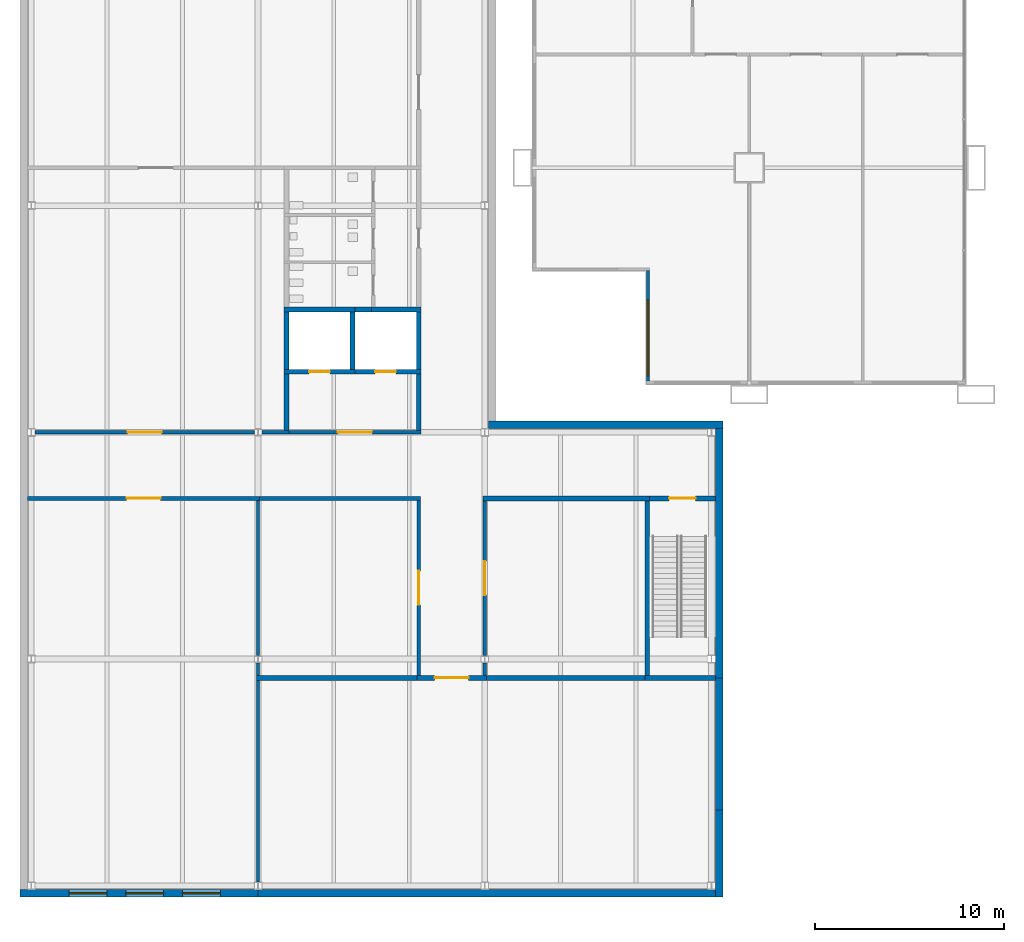
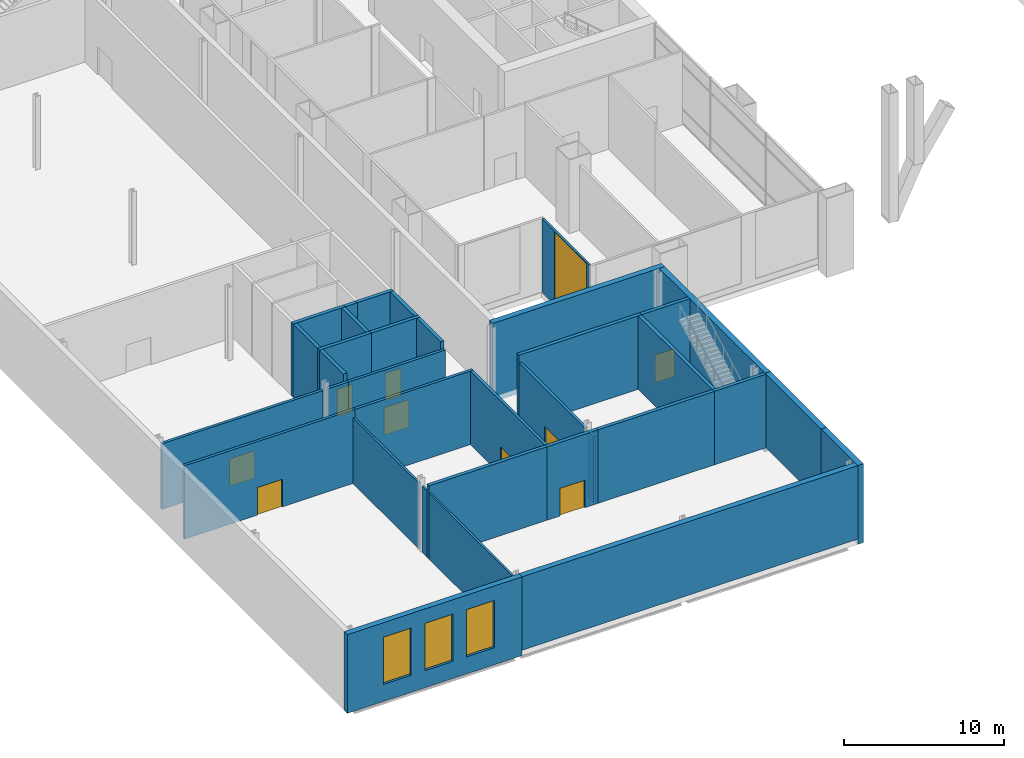
# One storey, part 16 of 25: 35 walls, 9 doors, 4 windows, 13 openings.
"""IFC4 building model written with IfcOpenShell, lengths in metres."""

import ifcopenshell
import ifcopenshell.guid

model = None  # the IFC model being written
_history = None  # IfcOwnerHistory: only IFC2X3 demands one
_inside = {}  # id of a spatial element -> (the spatial element, [elements in it])
_under = {}  # id of a project, library or spatial element -> (it, [spatial elements below it])
_declared = {}  # id of a project -> (the project, [libraries it declares])
_typed = {}  # id of a type object -> (the type object, [elements of that type])
_made_of = {}  # id of a material, layer set ... -> (it, [elements and type objects made of it])


def new_model(schema):
    """Start an empty IFC model of exactly this schema.

    Asked for "IFC4X3", IfcOpenShell would pick the latest addendum, in which some entities
    have other attributes; the version numbers below select the first issue.
    IFC2X3 requires an IfcOwnerHistory on every rooted entity: one is made here for all.
    """
    global model, _history
    if schema == "IFC4X3":
        model = ifcopenshell.file(schema_version=(4, 3, 0, 0))
    else:
        model = ifcopenshell.file(schema=schema)
    _inside.clear()
    _under.clear()
    _declared.clear()
    _typed.clear()
    _made_of.clear()
    _history = None
    if model.schema == "IFC2X3":
        org = make("IfcOrganization", Name="unknown")
        user = make(
            "IfcPersonAndOrganization",
            ThePerson=make("IfcPerson", FamilyName="unknown"),
            TheOrganization=org,
        )
        app = make(
            "IfcApplication",
            ApplicationDeveloper=org,
            Version="unknown",
            ApplicationFullName="unknown",
            ApplicationIdentifier="unknown",
        )
        _history = make(
            "IfcOwnerHistory",
            OwningUser=user,
            OwningApplication=app,
            ChangeAction="ADDED",
            CreationDate=0,
        )
    return model


def make(cls, **values):
    """One entity of the class cls with the attributes given. An attribute that is None is left unset."""
    return model.create_entity(
        cls, **{name: value for name, value in values.items() if value is not None}
    )


def rooted(cls, **values):
    """An entity with a GlobalId (a new one), such as an element, a storey or a relation."""
    return make(cls, GlobalId=ifcopenshell.guid.new(), OwnerHistory=_history, **values)


def si_unit(unit_type, name, prefix=None):
    """IfcSIUnit, for example si_unit("LENGTHUNIT", "METRE", prefix="MILLI")."""
    return make("IfcSIUnit", UnitType=unit_type, Prefix=prefix, Name=name)


def assignment(units):
    """IfcUnitAssignment: the units of a project."""
    return None if units is None else make("IfcUnitAssignment", Units=units)


def point(xyz):
    """IfcCartesianPoint."""
    return None if xyz is None else make("IfcCartesianPoint", Coordinates=xyz)


def direction(xyz):
    """IfcDirection."""
    return None if xyz is None else make("IfcDirection", DirectionRatios=xyz)


def frame(location, z_axis=None, x_axis=None):
    """IfcAxis2Placement3D, a coordinate frame: its origin and axes. An axis left out is left unset."""
    return make(
        "IfcAxis2Placement3D",
        Location=point(location),
        Axis=direction(z_axis),
        RefDirection=direction(x_axis),
    )


def frame_2d(location, x_axis=None):
    """IfcAxis2Placement2D, a coordinate frame in the plane: its origin and x axis."""
    return make(
        "IfcAxis2Placement2D", Location=point(location), RefDirection=direction(x_axis)
    )


def origin():
    """The frame at (0, 0, 0) with its axes left unset."""
    return frame((0.0, 0.0, 0.0))


def place(relative_to, where):
    """IfcLocalPlacement: puts the frame where relative to a parent placement (None: the world)."""
    return make(
        "IfcLocalPlacement", PlacementRelTo=relative_to, RelativePlacement=where
    )


def context(
    kind, dimensions, precision=None, world=None, true_north=None, identifier=None
):
    """IfcGeometricRepresentationContext, for example the 3D "Model" context."""
    return make(
        "IfcGeometricRepresentationContext",
        ContextIdentifier=identifier,
        ContextType=kind,
        CoordinateSpaceDimension=dimensions,
        Precision=precision,
        WorldCoordinateSystem=world,
        TrueNorth=true_north,
    )


def subcontext(parent, identifier, kind, view, scale=None):
    """IfcGeometricRepresentationSubContext, for example "Body" below "Model"."""
    return make(
        "IfcGeometricRepresentationSubContext",
        ContextIdentifier=identifier,
        ContextType=kind,
        ParentContext=parent,
        TargetScale=scale,
        TargetView=view,
    )


def project(units=None, contexts=None):
    """IfcProject with its units and contexts."""
    return rooted(
        "IfcProject",
        Name="project",
        RepresentationContexts=contexts,
        UnitsInContext=assignment(units),
    )


def spatial(cls, under=None, at=None, **own):
    """A site, building, storey or space (cls), placed at a placement, below another one or the project."""
    s = rooted(cls, ObjectPlacement=at, **own)
    if under is not None:
        _under.setdefault(under.id(), (under, []))[1].append(s)
    return s


def profile(cls, at=None, kind="AREA", **sizes):
    """A parametric profile (cls). Its sizes go by their IFC names, for example OverallWidth=200.0."""
    return make(cls, ProfileType=kind, Position=at, **sizes)


def rectangle(**sizes):
    """IfcRectangleProfileDef."""
    return profile("IfcRectangleProfileDef", **sizes)


def extrude(swept, where, along, depth):
    """IfcExtrudedAreaSolid: the profile swept, set in the frame where, extruded along a direction by depth."""
    return make(
        "IfcExtrudedAreaSolid",
        SweptArea=swept,
        Position=where,
        ExtrudedDirection=direction(along),
        Depth=depth,
    )


def shape(context_of_items, identifier, shape_type, items):
    """IfcShapeRepresentation: the items that make up one representation, for example the "Body"."""
    return make(
        "IfcShapeRepresentation",
        ContextOfItems=context_of_items,
        RepresentationIdentifier=identifier,
        RepresentationType=shape_type,
        Items=items,
    )


def material(Name=None, Category=None):
    """IfcMaterial."""
    return make("IfcMaterial", Name=Name, Category=Category)


def layer(
    of_material, thickness, ventilated=None, Name=None, Category=None, Priority=None
):
    """IfcMaterialLayer: one layer of a wall or slab, of a material (None: an air gap)."""
    return make(
        "IfcMaterialLayer",
        Material=of_material,
        LayerThickness=thickness,
        IsVentilated=ventilated,
        Name=Name,
        Category=Category,
        Priority=Priority,
    )


def layer_set(layers, Name=None):
    """IfcMaterialLayerSet."""
    return make("IfcMaterialLayerSet", MaterialLayers=layers, LayerSetName=Name)


def made_of(thing, what):
    """Note that an element or type object is made of a material, layer set ...; save() writes the relation."""
    if what is not None:
        _made_of.setdefault(what.id(), (what, []))[1].append(thing)
    return thing


def type_object(cls, material=None, **own):
    """A type object (cls), such as IfcWallType, which elements share."""
    return made_of(rooted(cls, **own), material)


def element(
    cls,
    number,
    at=None,
    inside=None,
    cuts=None,
    type_object=None,
    material=None,
    context=None,
    identifier="Body",
    shape_type=None,
    held_by="IfcProductDefinitionShape",
    body=None,
    shapes=None,
    **own,
):
    """One element of the class cls, such as IfcWall. Its Tag is "e" and its number.

    at: its placement. inside: the storey or other place that contains it. cuts: it is an
    opening in that element (IfcRelVoidsElement). A single representation is given by context,
    identifier, shape_type and body (its items); several are given by shapes. held_by: the class
    of the entity that holds the representations. save() writes the other relations.
    """
    e = rooted(cls, Tag="e%d" % number, ObjectPlacement=at, **own)
    if body is not None:
        shapes = [shape(context, identifier, shape_type, body)]
    if shapes is not None:
        e.Representation = make(held_by, Representations=shapes)
    if inside is not None:
        _inside.setdefault(inside.id(), (inside, []))[1].append(e)
    if cuts is not None:
        rooted(
            "IfcRelVoidsElement", RelatingBuildingElement=cuts, RelatedOpeningElement=e
        )
    if type_object is not None:
        _typed.setdefault(type_object.id(), (type_object, []))[1].append(e)
    return made_of(e, material)


def fill(opening, filler):
    """IfcRelFillsElement: the door or window that sits in an opening."""
    return rooted(
        "IfcRelFillsElement",
        RelatingOpeningElement=opening,
        RelatedBuildingElement=filler,
    )


def aggregate(whole, parts):
    """IfcRelAggregates: a whole, such as a stair, and the parts it consists of."""
    return rooted("IfcRelAggregates", RelatingObject=whole, RelatedObjects=parts)


def save(model, path):
    """Write the relations noted so far, then the file.

    IfcRelAggregates (storeys below a building ...), IfcRelContainedInSpatialStructure (elements
    in a storey), IfcRelDefinesByType, IfcRelAssociatesMaterial and IfcRelDeclares: one each for
    every whole, place, type object, material and project.
    """
    for whole, parts in _under.values():
        aggregate(whole, parts)
    for where, things in _inside.values():
        rooted(
            "IfcRelContainedInSpatialStructure",
            RelatedElements=things,
            RelatingStructure=where,
        )
    for kind, things in _typed.values():
        rooted("IfcRelDefinesByType", RelatedObjects=things, RelatingType=kind)
    for what, things in _made_of.values():
        rooted("IfcRelAssociatesMaterial", RelatedObjects=things, RelatingMaterial=what)
    for by, libraries in _declared.values():
        rooted("IfcRelDeclares", RelatingContext=by, RelatedDefinitions=libraries)
    model.write(path)


model = new_model("IFC4")

# Units and contexts
model_context = context("Model", 3, precision=1e-05, world=origin(), true_north=direction((0.0, 1.0)))
body_context = subcontext(model_context, "Body", "Model", "MODEL_VIEW")
ifc_project = project(units=[si_unit("LENGTHUNIT", "METRE"), si_unit("AREAUNIT", "SQUARE_METRE"), si_unit("VOLUMEUNIT", "CUBIC_METRE"), si_unit("PLANEANGLEUNIT", "RADIAN"), si_unit("MASSUNIT", "GRAM", prefix="KILO")], contexts=[model_context])

# Site, building, storey
site_placement = place(None, origin())
site = spatial("IfcSite", under=ifc_project, at=site_placement, CompositionType="ELEMENT")
building_placement = place(site_placement, origin())
building = spatial("IfcBuilding", under=site, at=building_placement, Name="Kitamizu Gate Tower and Museum", CompositionType="ELEMENT")
storey_placement = place(building_placement, frame((0.0, 0.0, 12.0)))
storey = spatial("IfcBuildingStorey", under=building, at=storey_placement, Name="L02", CompositionType="ELEMENT", Elevation=12.0)

# Wall
ifc_material_1 = material(Name="Concrete Fc30", Category="concrete")
ifc_layer_1 = layer(ifc_material_1, 0.25)
ifc_layer_set_1 = layer_set([ifc_layer_1], Name="Concrete Fc30")
wall_type_1 = type_object("IfcWallType", Name="Museum RC core wall 250", PredefinedType="SHEAR", material=ifc_layer_set_1)
wall_1_placement = place(storey_placement, frame((-5.5, 1.324951171875, 0.0), z_axis=(0.0, 0.0, 1.0), x_axis=(0.0, 1.0, 0.0)))
element("IfcWall", 1, at=wall_1_placement, inside=storey, type_object=wall_type_1, Name="Core wall L02.10.1", PredefinedType="SHEAR", context=body_context, shape_type="SweptSolid", body=[
    extrude(rectangle(XDim=3.050048828125, YDim=0.25, at=frame_2d((1.52490234375, 0.0))), origin(), (0.0, 0.0, 1.0), 5.60009765625),
])

# Wall, opening, door
wall_2_placement = place(storey_placement, frame((6.72509765625, -5.5, 0.0), z_axis=(0.0, 0.0, 1.0), x_axis=(1.0, 0.0, 0.0)))
wall_2 = element("IfcWall", 2, at=wall_2_placement, inside=storey, type_object=wall_type_1, Name="Core wall L02.12.1", PredefinedType="SHEAR", context=body_context, shape_type="SweptSolid", body=[
    extrude(rectangle(XDim=3.474853515625, YDim=0.25, at=frame_2d((1.7373046875, 0.0))), origin(), (0.0, 0.0, 1.0), 5.60009765625),
])
opening_1_placement = place(wall_2_placement, frame((1.037109375, 0.0, 0.0)))
opening_1 = element("IfcOpeningElement", 3, at=opening_1_placement, cuts=wall_2, Name="Opening MUS-L02-001", PredefinedType="OPENING", context=body_context, shape_type="SweptSolid", body=[
    extrude(rectangle(XDim=1.39990234375, YDim=2.10009765625, at=frame_2d((0.699951171875, 1.050048828125))), frame((0.0, 0.135009765625, 0.0), z_axis=(0.0, -1.0, 0.0), x_axis=(1.0, 0.0, 0.0)), (0.0, 0.0, 1.0), 0.27001953125),
])
ifc_material_2 = material(Name="Timber leaf in hollow metal frame", Category="wood")
door_type_1 = type_object("IfcDoorType", Name="Museum door 1400x2100 FD60", OperationType="DOUBLE_DOOR_SINGLE_SWING", PredefinedType="DOOR", material=ifc_material_2)
door_1_placement = place(opening_1_placement, origin())
door_1 = element("IfcDoor", 4, at=door_1_placement, inside=storey, type_object=door_type_1, Name="Door Stair S", OperationType="DOUBLE_DOOR_SINGLE_SWING", OverallHeight=2.10009765625, OverallWidth=1.39990234375, PredefinedType="DOOR", context=body_context, shape_type="SweptSolid", body=[
    extrude(rectangle(XDim=1.39990234375, YDim=2.10009765625, at=frame_2d((0.699951171875, 1.050048828125))), frame((0.0, 0.02490234375, 0.0), z_axis=(0.0, -1.0, 0.0), x_axis=(1.0, 0.0, 0.0)), (0.0, 0.0, 1.0), 0.050048828125),
])
fill(opening_1, door_1)

wall_3_placement = place(storey_placement, frame((-12.625, 1.199951171875, 0.0), z_axis=(0.0, 0.0, 1.0), x_axis=(1.0, 0.0, 0.0)))
wall_3 = element("IfcWall", 5, at=wall_3_placement, inside=storey, type_object=wall_type_1, Name="Core wall L02.19.1", PredefinedType="SHEAR", context=body_context, shape_type="SweptSolid", body=[
    extrude(rectangle(XDim=3.75, YDim=0.25, at=frame_2d((1.875, 0.0))), origin(), (0.0, 0.0, 1.0), 5.60009765625),
])
opening_2_placement = place(wall_3_placement, frame((1.324951171875, 0.0, 0.0)))
opening_2 = element("IfcOpeningElement", 6, at=opening_2_placement, cuts=wall_3, Name="Opening MUS-L02-004", PredefinedType="OPENING", context=body_context, shape_type="SweptSolid", body=[
    extrude(rectangle(XDim=1.10009765625, YDim=2.10009765625, at=frame_2d((0.550048828125, 1.050048828125))), frame((0.0, 0.135009765625, 0.0), z_axis=(0.0, -1.0, 0.0), x_axis=(1.0, 0.0, 0.0)), (0.0, 0.0, 1.0), 0.27001953125),
])
ifc_material_3 = material(Name="Stainless steel SUS304", Category="steel")
door_type_2 = type_object("IfcDoorType", Name="Museum lift landing door 1100x2100", OperationType="SLIDING_TO_LEFT", PredefinedType="DOOR", material=ifc_material_3)
door_2_placement = place(opening_2_placement, origin())
door_2 = element("IfcDoor", 7, at=door_2_placement, inside=storey, type_object=door_type_2, Name="Lift landing door", OperationType="SLIDING_TO_LEFT", OverallHeight=2.10009765625, OverallWidth=1.10009765625, PredefinedType="DOOR", context=body_context, shape_type="SweptSolid", body=[
    extrude(rectangle(XDim=1.10009765625, YDim=2.10009765625, at=frame_2d((0.550048828125, 1.050048828125))), frame((0.0, 0.02490234375, 0.0), z_axis=(0.0, -1.0, 0.0), x_axis=(1.0, 0.0, 0.0)), (0.0, 0.0, 1.0), 0.050048828125),
])
fill(opening_2, door_2)

wall_4_placement = place(storey_placement, frame((-8.875, 1.199951171875, 0.0), z_axis=(0.0, 0.0, 1.0), x_axis=(1.0, 0.0, 0.0)))
wall_4 = element("IfcWall", 8, at=wall_4_placement, inside=storey, type_object=wall_type_1, Name="Core wall L02.20.1", PredefinedType="SHEAR", context=body_context, shape_type="SweptSolid", body=[
    extrude(rectangle(XDim=3.5, YDim=0.25, at=frame_2d((1.75, 0.0))), origin(), (0.0, 0.0, 1.0), 5.60009765625),
])
opening_3_placement = place(wall_4_placement, frame((1.074951171875, 0.0, 0.0)))
opening_3 = element("IfcOpeningElement", 9, at=opening_3_placement, cuts=wall_4, Name="Opening MUS-L02-005", PredefinedType="OPENING", context=body_context, shape_type="SweptSolid", body=[
    extrude(rectangle(XDim=1.10009765625, YDim=2.10009765625, at=frame_2d((0.550048828125, 1.050048828125))), frame((0.0, 0.135009765625, 0.0), z_axis=(0.0, -1.0, 0.0), x_axis=(1.0, 0.0, 0.0)), (0.0, 0.0, 1.0), 0.27001953125),
])
door_3_placement = place(opening_3_placement, origin())
door_3 = element("IfcDoor", 10, at=door_3_placement, inside=storey, type_object=door_type_2, Name="Lift landing door", OperationType="SLIDING_TO_LEFT", OverallHeight=2.10009765625, OverallWidth=1.10009765625, PredefinedType="DOOR", context=body_context, shape_type="SweptSolid", body=[
    extrude(rectangle(XDim=1.10009765625, YDim=2.10009765625, at=frame_2d((0.550048828125, 1.050048828125))), frame((0.0, 0.02490234375, 0.0), z_axis=(0.0, -1.0, 0.0), x_axis=(1.0, 0.0, 0.0)), (0.0, 0.0, 1.0), 0.050048828125),
])
fill(opening_3, door_3)

# Walls
for number, where, z_axis, x_axis, name in (
    (11, (-12.5, 1.324951171875, 0.0), (0.0, 0.0, 1.0), (0.0, 1.0, 0.0), "Core wall L02.23.1"),
    (12, (-9.0, 1.324951171875, 0.0), (0.0, 0.0, 1.0), (0.0, 1.0, 0.0), "Core wall L02.24.1"),
):
    element("IfcWall", number, at=place(storey_placement, frame(where, z_axis=z_axis, x_axis=x_axis)), inside=storey, type_object=wall_type_1, Name=name, PredefinedType="SHEAR", context=body_context, shape_type="SweptSolid", body=[
        extrude(rectangle(XDim=3.050048828125, YDim=0.25, at=frame_2d((1.52490234375, 0.0))), origin(), (0.0, 0.0, 1.0), 5.60009765625),
    ])
wall_5_placement = place(storey_placement, frame((-12.625, 4.5, 0.0), z_axis=(0.0, 0.0, 1.0), x_axis=(1.0, 0.0, 0.0)))
element("IfcWall", 13, at=wall_5_placement, inside=storey, type_object=wall_type_1, Name="Core wall L02.25.1", PredefinedType="SHEAR", context=body_context, shape_type="SweptSolid", body=[
    extrude(rectangle(XDim=3.75, YDim=0.25, at=frame_2d((1.875, 0.0))), origin(), (0.0, 0.0, 1.0), 5.60009765625),
])
wall_6_placement = place(storey_placement, frame((-8.0, 4.5, 0.0), z_axis=(0.0, 0.0, 1.0), x_axis=(1.0, 0.0, 0.0)))
element("IfcWall", 14, at=wall_6_placement, inside=storey, type_object=wall_type_1, Name="Core wall L02.26.1", PredefinedType="SHEAR", context=body_context, shape_type="SweptSolid", body=[
    extrude(rectangle(XDim=2.625, YDim=0.25, at=frame_2d((1.3125, 0.0))), origin(), (0.0, 0.0, 1.0), 5.60009765625),
])
wall_7_placement = place(storey_placement, frame((-8.875, 4.5, 0.0), z_axis=(0.0, 0.0, 1.0), x_axis=(1.0, 0.0, 0.0)))
element("IfcWall", 15, at=wall_7_placement, inside=storey, type_object=wall_type_1, Name="Core wall L02.27.1", PredefinedType="SHEAR", context=body_context, shape_type="SweptSolid", body=[
    extrude(rectangle(XDim=0.875, YDim=0.25, at=frame_2d((0.4375, 0.0))), origin(), (0.0, 0.0, 1.0), 5.60009765625),
])
wall_8_placement = place(storey_placement, frame((6.60009765625, -14.875, 0.0), z_axis=(0.0, 0.0, 1.0), x_axis=(0.0, 1.0, 0.0)))
element("IfcWall", 16, at=wall_8_placement, inside=storey, type_object=wall_type_1, Name="Core wall L02.30.1", PredefinedType="SHEAR", context=body_context, shape_type="SweptSolid", body=[
    extrude(rectangle(XDim=9.25, YDim=0.25, at=frame_2d((4.625, 0.0))), origin(), (0.0, 0.0, 1.0), 5.60009765625),
])
wall_9_placement = place(storey_placement, frame((6.47509765625, -15.0, 0.0), z_axis=(0.0, 0.0, 1.0), x_axis=(1.0, 0.0, 0.0)))
element("IfcWall", 17, at=wall_9_placement, inside=storey, type_object=wall_type_1, Name="Core wall L02.31.1", PredefinedType="SHEAR", context=body_context, shape_type="SweptSolid", body=[
    extrude(rectangle(XDim=3.724853515625, YDim=0.25, at=frame_2d((1.8623046875, 0.0))), origin(), (0.0, 0.0, 1.0), 5.60009765625),
])
ifc_material_4 = material(Name="Concrete Fc30 precast", Category="concrete")
ifc_layer_2 = layer(ifc_material_4, 0.39990234375)
ifc_layer_set_2 = layer_set([ifc_layer_2], Name="Concrete Fc30 precast")
wall_type_2 = type_object("IfcWallType", Name="Museum cladding wall 400", PredefinedType="STANDARD", material=ifc_layer_set_2)
wall_10_placement = place(storey_placement, frame((-14.0, -26.39990234375, 0.0), z_axis=(0.0, 0.0, 1.0), x_axis=(1.0, 0.0, 0.0)))
element("IfcWall", 18, at=wall_10_placement, inside=storey, type_object=wall_type_2, Name="Cladding wall L02.1", PredefinedType="STANDARD", context=body_context, shape_type="SweptSolid", body=[
    extrude(rectangle(XDim=24.199951171875, YDim=0.39990234375, at=frame_2d((12.10009765625, 0.0))), origin(), (0.0, 0.0, 1.0), 5.60009765625),
])
wall_11_placement = place(storey_placement, frame((10.39990234375, -22.0, 0.0), z_axis=(0.0, 0.0, 1.0), x_axis=(0.0, 1.0, 0.0)))
element("IfcWall", 19, at=wall_11_placement, inside=storey, type_object=wall_type_2, Name="Cladding wall L02.2", PredefinedType="STANDARD", context=body_context, shape_type="SweptSolid", body=[
    extrude(rectangle(XDim=7.0, YDim=0.39990234375, at=frame_2d((3.5, 0.0))), origin(), (0.0, 0.0, 1.0), 5.60009765625),
])

# Wall, openings, windows
wall_12_placement = place(storey_placement, frame((-26.60009765625, -26.39990234375, -0.39990234375), z_axis=(0.0, 0.0, 1.0), x_axis=(1.0, 0.0, 0.0)))
wall_12 = element("IfcWall", 20, at=wall_12_placement, inside=storey, type_object=wall_type_2, Name="Cladding wall L02.3", PredefinedType="STANDARD", context=body_context, shape_type="SweptSolid", body=[
    extrude(rectangle(XDim=12.60009765625, YDim=0.39990234375, at=frame_2d((6.300048828125, 0.0))), origin(), (0.0, 0.0, 1.0), 6.0),
])
opening_4_placement = place(wall_12_placement, frame((2.60009765625, 0.0, 1.300048828125)))
opening_4 = element("IfcOpeningElement", 21, at=opening_4_placement, cuts=wall_12, Name="Opening MWN1", PredefinedType="OPENING", context=body_context, shape_type="SweptSolid", body=[
    extrude(rectangle(XDim=2.0, YDim=3.60009765625, at=frame_2d((1.0, 1.800048828125))), frame((0.0, 0.2099609375, 0.0), z_axis=(0.0, -1.0, 0.0), x_axis=(1.0, 0.0, 0.0)), (0.0, 0.0, 1.0), 0.419921875),
])
opening_5_placement = place(wall_12_placement, frame((5.60009765625, 0.0, 1.300048828125)))
opening_5 = element("IfcOpeningElement", 22, at=opening_5_placement, cuts=wall_12, Name="Opening MWN1", PredefinedType="OPENING", context=body_context, shape_type="SweptSolid", body=[
    extrude(rectangle(XDim=2.0, YDim=3.60009765625, at=frame_2d((1.0, 1.800048828125))), frame((0.0, 0.2099609375, 0.0), z_axis=(0.0, -1.0, 0.0), x_axis=(1.0, 0.0, 0.0)), (0.0, 0.0, 1.0), 0.419921875),
])
opening_6_placement = place(wall_12_placement, frame((8.60009765625, 0.0, 1.300048828125)))
opening_6 = element("IfcOpeningElement", 23, at=opening_6_placement, cuts=wall_12, Name="Opening MWN1", PredefinedType="OPENING", context=body_context, shape_type="SweptSolid", body=[
    extrude(rectangle(XDim=2.0, YDim=3.60009765625, at=frame_2d((1.0, 1.800048828125))), frame((0.0, 0.2099609375, 0.0), z_axis=(0.0, -1.0, 0.0), x_axis=(1.0, 0.0, 0.0)), (0.0, 0.0, 1.0), 0.419921875),
])
ifc_material_5 = material(Name="Bronze anodised aluminium frame, tinted triple glazing", Category="aluminium")
window_type_1 = type_object("IfcWindowType", Name="Museum window 2000x3600", PartitioningType="SINGLE_PANEL", PredefinedType="WINDOW", material=ifc_material_5)
window_1_placement = place(opening_4_placement, origin())
window_1 = element("IfcWindow", 24, at=window_1_placement, inside=storey, type_object=window_type_1, Name="Window", OverallHeight=3.60009765625, OverallWidth=2.0, PartitioningType="SINGLE_PANEL", PredefinedType="WINDOW", context=body_context, shape_type="SweptSolid", body=[
    extrude(rectangle(XDim=2.0, YDim=3.60009765625, at=frame_2d((1.0, 1.800048828125))), frame((0.0, 0.030029296875, 0.0), z_axis=(0.0, -1.0, 0.0), x_axis=(1.0, 0.0, 0.0)), (0.0, 0.0, 1.0), 0.06005859375),
])
fill(opening_4, window_1)
window_2_placement = place(opening_5_placement, origin())
window_2 = element("IfcWindow", 25, at=window_2_placement, inside=storey, type_object=window_type_1, Name="Window", OverallHeight=3.60009765625, OverallWidth=2.0, PartitioningType="SINGLE_PANEL", PredefinedType="WINDOW", context=body_context, shape_type="SweptSolid", body=[
    extrude(rectangle(XDim=2.0, YDim=3.60009765625, at=frame_2d((1.0, 1.800048828125))), frame((0.0, 0.030029296875, 0.0), z_axis=(0.0, -1.0, 0.0), x_axis=(1.0, 0.0, 0.0)), (0.0, 0.0, 1.0), 0.06005859375),
])
fill(opening_5, window_2)
window_3_placement = place(opening_6_placement, origin())
window_3 = element("IfcWindow", 26, at=window_3_placement, inside=storey, type_object=window_type_1, Name="Window", OverallHeight=3.60009765625, OverallWidth=2.0, PartitioningType="SINGLE_PANEL", PredefinedType="WINDOW", context=body_context, shape_type="SweptSolid", body=[
    extrude(rectangle(XDim=2.0, YDim=3.60009765625, at=frame_2d((1.0, 1.800048828125))), frame((0.0, 0.030029296875, 0.0), z_axis=(0.0, -1.0, 0.0), x_axis=(1.0, 0.0, 0.0)), (0.0, 0.0, 1.0), 0.06005859375),
])
fill(opening_6, window_3)

# Walls
wall_13_placement = place(storey_placement, frame((10.39990234375, -26.60009765625, -0.39990234375), z_axis=(0.0, 0.0, 1.0), x_axis=(0.0, 1.0, 0.0)))
element("IfcWall", 27, at=wall_13_placement, inside=storey, type_object=wall_type_2, Name="Cladding wall L02.4", PredefinedType="STANDARD", context=body_context, shape_type="SweptSolid", body=[
    extrude(rectangle(XDim=4.60009765625, YDim=0.39990234375, at=frame_2d((2.300048828125, 0.0))), origin(), (0.0, 0.0, 1.0), 6.0),
])
wall_14_placement = place(storey_placement, frame((10.39990234375, -15.0, -0.39990234375), z_axis=(0.0, 0.0, 1.0), x_axis=(0.0, 1.0, 0.0)))
element("IfcWall", 28, at=wall_14_placement, inside=storey, type_object=wall_type_2, Name="Cladding wall L02.6", PredefinedType="STANDARD", context=body_context, shape_type="SweptSolid", body=[
    extrude(rectangle(XDim=13.199951171875, YDim=0.39990234375, at=frame_2d((6.60009765625, 0.0))), origin(), (0.0, 0.0, 1.0), 6.0),
])
wall_15_placement = place(storey_placement, frame((-1.800048828125, -1.60009765625, -0.39990234375), z_axis=(0.0, 0.0, 1.0), x_axis=(1.0, 0.0, 0.0)))
element("IfcWall", 29, at=wall_15_placement, inside=storey, type_object=wall_type_2, Name="Cladding wall L02.7", PredefinedType="STANDARD", context=body_context, shape_type="SweptSolid", body=[
    extrude(rectangle(XDim=12.400146484375, YDim=0.39990234375, at=frame_2d((6.2001953125, 0.0))), origin(), (0.0, 0.0, 1.0), 6.0),
])

# Wall, opening, door
ifc_material_6 = material(Name="Gypsum board on galvanised stud")
ifc_layer_3 = layer(ifc_material_6, 0.199951171875)
ifc_layer_set_3 = layer_set([ifc_layer_3], Name="Gypsum board on galvanised stud")
wall_type_3 = type_object("IfcWallType", Name="Museum fire rated partition 200", PredefinedType="PARTITIONING", material=ifc_layer_set_3)
wall_16_placement = place(storey_placement, frame((-25.800048828125, -2.0, 0.0), z_axis=(0.0, 0.0, 1.0), x_axis=(1.0, 0.0, 0.0)))
wall_16 = element("IfcWall", 30, at=wall_16_placement, inside=storey, type_object=wall_type_3, Name="Fire-rated partition L02.4.1", PredefinedType="PARTITIONING", context=body_context, shape_type="SweptSolid", body=[
    extrude(rectangle(XDim=11.60009765625, YDim=0.199951171875, at=frame_2d((5.800048828125, 0.0))), origin(), (0.0, 0.0, 1.0), 5.011962890625),
])
opening_7_placement = place(wall_16_placement, frame((4.89990234375, 0.0, 0.0)))
opening_7 = element("IfcOpeningElement", 31, at=opening_7_placement, cuts=wall_16, Name="Opening MUS-L02-014", PredefinedType="OPENING", context=body_context, shape_type="SweptSolid", body=[
    extrude(rectangle(XDim=1.800048828125, YDim=2.10009765625, at=frame_2d((0.89990234375, 1.050048828125))), frame((0.0, 0.10986328125, 0.0), z_axis=(0.0, -1.0, 0.0), x_axis=(1.0, 0.0, 0.0)), (0.0, 0.0, 1.0), 0.219970703125),
])
ifc_material_7 = material(Name="Timber leaf in hollow metal frame", Category="wood")
door_type_3 = type_object("IfcDoorType", Name="Museum door 1800x2100 FD60", OperationType="DOUBLE_DOOR_SINGLE_SWING", PredefinedType="DOOR", material=ifc_material_7)
door_4_placement = place(opening_7_placement, origin())
door_4 = element("IfcDoor", 32, at=door_4_placement, inside=storey, type_object=door_type_3, Name="Door Auditorium foyer", OperationType="DOUBLE_DOOR_SINGLE_SWING", OverallHeight=2.10009765625, OverallWidth=1.800048828125, PredefinedType="DOOR", context=body_context, shape_type="SweptSolid", body=[
    extrude(rectangle(XDim=1.800048828125, YDim=2.10009765625, at=frame_2d((0.89990234375, 1.050048828125))), frame((0.0, 0.02490234375, 0.0), z_axis=(0.0, -1.0, 0.0), x_axis=(1.0, 0.0, 0.0)), (0.0, 0.0, 1.0), 0.050048828125),
])
fill(opening_7, door_4)

# Wall
wall_17_placement = place(storey_placement, frame((-13.800048828125, -2.0, 0.0), z_axis=(0.0, 0.0, 1.0), x_axis=(1.0, 0.0, 0.0)))
element("IfcWall", 33, at=wall_17_placement, inside=storey, type_object=wall_type_3, Name="Fire-rated partition L02.4.2", PredefinedType="PARTITIONING", context=body_context, shape_type="SweptSolid", body=[
    extrude(rectangle(XDim=1.425048828125, YDim=0.199951171875, at=frame_2d((0.71240234375, 0.0))), origin(), (0.0, 0.0, 1.0), 5.011962890625),
])

# Wall, opening, door
wall_18_placement = place(storey_placement, frame((-26.199951171875, -5.5, 0.0), z_axis=(0.0, 0.0, 1.0), x_axis=(1.0, 0.0, 0.0)))
wall_18 = element("IfcWall", 34, at=wall_18_placement, inside=storey, type_object=wall_type_3, Name="Fire-rated partition L02.5.1", PredefinedType="PARTITIONING", context=body_context, shape_type="SweptSolid", body=[
    extrude(rectangle(XDim=12.27490234375, YDim=0.199951171875, at=frame_2d((6.137451171875, 0.0))), origin(), (0.0, 0.0, 1.0), 5.60009765625),
])
opening_8_placement = place(wall_18_placement, frame((5.237060546875, 0.0, 0.0)))
opening_8 = element("IfcOpeningElement", 35, at=opening_8_placement, cuts=wall_18, Name="Opening MUS-L02-011", PredefinedType="OPENING", context=body_context, shape_type="SweptSolid", body=[
    extrude(rectangle(XDim=1.800048828125, YDim=2.10009765625, at=frame_2d((0.89990234375, 1.050048828125))), frame((0.0, 0.10986328125, 0.0), z_axis=(0.0, -1.0, 0.0), x_axis=(1.0, 0.0, 0.0)), (0.0, 0.0, 1.0), 0.219970703125),
])
door_5_placement = place(opening_8_placement, origin())
door_5 = element("IfcDoor", 36, at=door_5_placement, inside=storey, type_object=door_type_3, Name="Door Learning studio", OperationType="DOUBLE_DOOR_SINGLE_SWING", OverallHeight=2.10009765625, OverallWidth=1.800048828125, PredefinedType="DOOR", context=body_context, shape_type="SweptSolid", body=[
    extrude(rectangle(XDim=1.800048828125, YDim=2.10009765625, at=frame_2d((0.89990234375, 1.050048828125))), frame((0.0, 0.02490234375, 0.0), z_axis=(0.0, -1.0, 0.0), x_axis=(1.0, 0.0, 0.0)), (0.0, 0.0, 1.0), 0.050048828125),
])
fill(opening_8, door_5)

# Wall
wall_19_placement = place(storey_placement, frame((-2.0, -14.875, 0.0), z_axis=(0.0, 0.0, 1.0), x_axis=(0.0, 1.0, 0.0)))
element("IfcWall", 37, at=wall_19_placement, inside=storey, type_object=wall_type_3, Name="Fire-rated partition L02.6.1", PredefinedType="PARTITIONING", context=body_context, shape_type="SweptSolid", body=[
    extrude(rectangle(XDim=0.675048828125, YDim=0.199951171875, at=frame_2d((0.33740234375, 0.0))), origin(), (0.0, 0.0, 1.0), 5.011962890625),
])

# Wall, opening, door
wall_20_placement = place(storey_placement, frame((-2.0, -13.800048828125, 0.0), z_axis=(0.0, 0.0, 1.0), x_axis=(0.0, 1.0, 0.0)))
wall_20 = element("IfcWall", 38, at=wall_20_placement, inside=storey, type_object=wall_type_3, Name="Fire-rated partition L02.6.2", PredefinedType="PARTITIONING", context=body_context, shape_type="SweptSolid", body=[
    extrude(rectangle(XDim=8.175048828125, YDim=0.199951171875, at=frame_2d((4.08740234375, 0.0))), origin(), (0.0, 0.0, 1.0), 5.011962890625),
])
opening_9_placement = place(wall_20_placement, frame((3.18798828125, 0.0, 0.0)))
opening_9 = element("IfcOpeningElement", 39, at=opening_9_placement, cuts=wall_20, Name="Opening MUS-L02-013", PredefinedType="OPENING", context=body_context, shape_type="SweptSolid", body=[
    extrude(rectangle(XDim=1.800048828125, YDim=2.10009765625, at=frame_2d((0.89990234375, 1.050048828125))), frame((0.0, 0.10986328125, 0.0), z_axis=(0.0, -1.0, 0.0), x_axis=(1.0, 0.0, 0.0)), (0.0, 0.0, 1.0), 0.219970703125),
])
door_6_placement = place(opening_9_placement, origin())
door_6 = element("IfcDoor", 40, at=door_6_placement, inside=storey, type_object=door_type_3, Name="Door Learning studio 2", OperationType="DOUBLE_DOOR_SINGLE_SWING", OverallHeight=2.10009765625, OverallWidth=1.800048828125, PredefinedType="DOOR", context=body_context, shape_type="SweptSolid", body=[
    extrude(rectangle(XDim=1.800048828125, YDim=2.10009765625, at=frame_2d((0.89990234375, 1.050048828125))), frame((0.0, 0.02490234375, 0.0), z_axis=(0.0, -1.0, 0.0), x_axis=(1.0, 0.0, 0.0)), (0.0, 0.0, 1.0), 0.050048828125),
])
fill(opening_9, door_6)

wall_21_placement = place(storey_placement, frame((-12.375, -2.0, 0.0), z_axis=(0.0, 0.0, 1.0), x_axis=(1.0, 0.0, 0.0)))
wall_21 = element("IfcWall", 41, at=wall_21_placement, inside=storey, type_object=wall_type_3, Name="Fire-rated partition L02.8.1", PredefinedType="PARTITIONING", context=body_context, shape_type="SweptSolid", body=[
    extrude(rectangle(XDim=7.0, YDim=0.199951171875, at=frame_2d((3.5, 0.0))), origin(), (0.0, 0.0, 1.0), 5.011962890625),
])
opening_10_placement = place(wall_21_placement, frame((2.60009765625, 0.0, 0.0)))
opening_10 = element("IfcOpeningElement", 42, at=opening_10_placement, cuts=wall_21, Name="Opening MUS-L02-003", PredefinedType="OPENING", context=body_context, shape_type="SweptSolid", body=[
    extrude(rectangle(XDim=1.800048828125, YDim=2.10009765625, at=frame_2d((0.89990234375, 1.050048828125))), frame((0.0, 0.10986328125, 0.0), z_axis=(0.0, -1.0, 0.0), x_axis=(1.0, 0.0, 0.0)), (0.0, 0.0, 1.0), 0.219970703125),
])
door_7_placement = place(opening_10_placement, origin())
door_7 = element("IfcDoor", 43, at=door_7_placement, inside=storey, type_object=door_type_3, Name="Door Lift lobby", OperationType="DOUBLE_DOOR_SINGLE_SWING", OverallHeight=2.10009765625, OverallWidth=1.800048828125, PredefinedType="DOOR", context=body_context, shape_type="SweptSolid", body=[
    extrude(rectangle(XDim=1.800048828125, YDim=2.10009765625, at=frame_2d((0.89990234375, 1.050048828125))), frame((0.0, 0.02490234375, 0.0), z_axis=(0.0, -1.0, 0.0), x_axis=(1.0, 0.0, 0.0)), (0.0, 0.0, 1.0), 0.050048828125),
])
fill(opening_10, door_7)

wall_22_placement = place(storey_placement, frame((-5.5, -14.875, 0.0), z_axis=(0.0, 0.0, 1.0), x_axis=(0.0, 1.0, 0.0)))
wall_22 = element("IfcWall", 44, at=wall_22_placement, inside=storey, type_object=wall_type_3, Name="Fire-rated partition L02.15.1", PredefinedType="PARTITIONING", context=body_context, shape_type="SweptSolid", body=[
    extrude(rectangle(XDim=9.27490234375, YDim=0.199951171875, at=frame_2d((4.637451171875, 0.0))), origin(), (0.0, 0.0, 1.0), 5.60009765625),
])
opening_11_placement = place(wall_22_placement, frame((3.738037109375, 0.0, 0.0)))
opening_11 = element("IfcOpeningElement", 45, at=opening_11_placement, cuts=wall_22, Name="Opening MUS-L02-012", PredefinedType="OPENING", context=body_context, shape_type="SweptSolid", body=[
    extrude(rectangle(XDim=1.800048828125, YDim=2.10009765625, at=frame_2d((0.89990234375, 1.050048828125))), frame((0.0, 0.10986328125, 0.0), z_axis=(0.0, -1.0, 0.0), x_axis=(1.0, 0.0, 0.0)), (0.0, 0.0, 1.0), 0.219970703125),
])
door_8_placement = place(opening_11_placement, origin())
door_8 = element("IfcDoor", 46, at=door_8_placement, inside=storey, type_object=door_type_3, Name="Door Workshop store", OperationType="DOUBLE_DOOR_SINGLE_SWING", OverallHeight=2.10009765625, OverallWidth=1.800048828125, PredefinedType="DOOR", context=body_context, shape_type="SweptSolid", body=[
    extrude(rectangle(XDim=1.800048828125, YDim=2.10009765625, at=frame_2d((0.89990234375, 1.050048828125))), frame((0.0, 0.02490234375, 0.0), z_axis=(0.0, -1.0, 0.0), x_axis=(1.0, 0.0, 0.0)), (0.0, 0.0, 1.0), 0.050048828125),
])
fill(opening_11, door_8)

# Walls
wall_23_placement = place(storey_placement, frame((-13.925048828125, -5.5, 0.0), z_axis=(0.0, 0.0, 1.0), x_axis=(1.0, 0.0, 0.0)))
element("IfcWall", 47, at=wall_23_placement, inside=storey, type_object=wall_type_3, Name="Fire-rated partition L02.16.1", PredefinedType="PARTITIONING", context=body_context, shape_type="SweptSolid", body=[
    extrude(rectangle(XDim=8.525146484375, YDim=0.199951171875, at=frame_2d((4.2626953125, 0.0))), origin(), (0.0, 0.0, 1.0), 5.60009765625),
])
ifc_material_8 = material(Name="Gypsum board on galvanised stud")
ifc_layer_4 = layer(ifc_material_8, 0.25)
ifc_layer_set_4 = layer_set([ifc_layer_4], Name="Gypsum board on galvanised stud")
wall_type_4 = type_object("IfcWallType", Name="Museum fire rated partition 250", PredefinedType="PARTITIONING", material=ifc_layer_set_4)
wall_24_placement = place(storey_placement, frame((-2.10009765625, -5.5, 0.0), z_axis=(0.0, 0.0, 1.0), x_axis=(1.0, 0.0, 0.0)))
element("IfcWall", 48, at=wall_24_placement, inside=storey, type_object=wall_type_4, Name="Fire-rated partition L02.7.1", PredefinedType="PARTITIONING", context=body_context, shape_type="SweptSolid", body=[
    extrude(rectangle(XDim=8.8251953125, YDim=0.25, at=frame_2d((4.41259765625, 0.0))), origin(), (0.0, 0.0, 1.0), 5.60009765625),
])
wall_25_placement = place(storey_placement, frame((-5.5, -1.89990234375, 0.0), z_axis=(0.0, 0.0, 1.0), x_axis=(0.0, 1.0, 0.0)))
element("IfcWall", 49, at=wall_25_placement, inside=storey, type_object=wall_type_4, Name="Fire-rated partition L02.9.1", PredefinedType="PARTITIONING", context=body_context, shape_type="SweptSolid", body=[
    extrude(rectangle(XDim=2.974853515625, YDim=0.25, at=frame_2d((1.4873046875, 0.0))), origin(), (0.0, 0.0, 1.0), 5.60009765625),
])

# Wall, opening, door
wall_26_placement = place(storey_placement, frame((-5.60009765625, -15.0, 0.0), z_axis=(0.0, 0.0, 1.0), x_axis=(1.0, 0.0, 0.0)))
wall_26 = element("IfcWall", 50, at=wall_26_placement, inside=storey, type_object=wall_type_4, Name="Fire-rated partition L02.13.1", PredefinedType="PARTITIONING", context=body_context, shape_type="SweptSolid", body=[
    extrude(rectangle(XDim=3.7001953125, YDim=0.25, at=frame_2d((1.85009765625, 0.0))), origin(), (0.0, 0.0, 1.0), 5.60009765625),
])
opening_12_placement = place(wall_26_placement, frame((0.949951171875, 0.0, 0.0)))
opening_12 = element("IfcOpeningElement", 51, at=opening_12_placement, cuts=wall_26, Name="Opening MUS-L02-010", PredefinedType="OPENING", context=body_context, shape_type="SweptSolid", body=[
    extrude(rectangle(XDim=1.800048828125, YDim=2.10009765625, at=frame_2d((0.89990234375, 1.050048828125))), frame((0.0, 0.135009765625, 0.0), z_axis=(0.0, -1.0, 0.0), x_axis=(1.0, 0.0, 0.0)), (0.0, 0.0, 1.0), 0.27001953125),
])
door_9_placement = place(opening_12_placement, origin())
door_9 = element("IfcDoor", 52, at=door_9_placement, inside=storey, type_object=door_type_3, Name="Door Temporary gallery 2", OperationType="DOUBLE_DOOR_SINGLE_SWING", OverallHeight=2.10009765625, OverallWidth=1.800048828125, PredefinedType="DOOR", context=body_context, shape_type="SweptSolid", body=[
    extrude(rectangle(XDim=1.800048828125, YDim=2.10009765625, at=frame_2d((0.89990234375, 1.050048828125))), frame((0.0, 0.02490234375, 0.0), z_axis=(0.0, -1.0, 0.0), x_axis=(1.0, 0.0, 0.0)), (0.0, 0.0, 1.0), 0.050048828125),
])
fill(opening_12, door_9)

# Walls
wall_27_placement = place(storey_placement, frame((-12.5, -1.89990234375, 0.0), z_axis=(0.0, 0.0, 1.0), x_axis=(0.0, 1.0, 0.0)))
element("IfcWall", 53, at=wall_27_placement, inside=storey, type_object=wall_type_4, Name="Fire-rated partition L02.18.1", PredefinedType="PARTITIONING", context=body_context, shape_type="SweptSolid", body=[
    extrude(rectangle(XDim=2.974853515625, YDim=0.25, at=frame_2d((1.4873046875, 0.0))), origin(), (0.0, 0.0, 1.0), 5.60009765625),
])
ifc_material_9 = material(Name="Gypsum board on galvanised stud")
ifc_layer_5 = layer(ifc_material_9, 0.14990234375)
ifc_layer_set_5 = layer_set([ifc_layer_5], Name="Gypsum board on galvanised stud")
wall_type_5 = type_object("IfcWallType", Name="Museum partition 150", PredefinedType="PARTITIONING", material=ifc_layer_set_5)
wall_28_placement = place(storey_placement, frame((-14.0, -14.875, 0.0), z_axis=(0.0, 0.0, 1.0), x_axis=(0.0, 1.0, 0.0)))
element("IfcWall", 54, at=wall_28_placement, inside=storey, type_object=wall_type_5, Name="Partition L02.17.1", PredefinedType="PARTITIONING", context=body_context, shape_type="SweptSolid", body=[
    extrude(rectangle(XDim=0.675048828125, YDim=0.14990234375, at=frame_2d((0.33740234375, 0.0))), origin(), (0.0, 0.0, 1.0), 5.011962890625),
])
wall_29_placement = place(storey_placement, frame((-14.0, -13.800048828125, 0.0), z_axis=(0.0, 0.0, 1.0), x_axis=(0.0, 1.0, 0.0)))
element("IfcWall", 55, at=wall_29_placement, inside=storey, type_object=wall_type_5, Name="Partition L02.17.2", PredefinedType="PARTITIONING", context=body_context, shape_type="SweptSolid", body=[
    extrude(rectangle(XDim=8.199951171875, YDim=0.14990234375, at=frame_2d((4.10009765625, 0.0))), origin(), (0.0, 0.0, 1.0), 5.011962890625),
])
wall_30_placement = place(storey_placement, frame((-14.0, -25.800048828125, 0.0), z_axis=(0.0, 0.0, 1.0), x_axis=(0.0, 1.0, 0.0)))
element("IfcWall", 56, at=wall_30_placement, inside=storey, type_object=wall_type_5, Name="Partition L02.32.1", PredefinedType="PARTITIONING", context=body_context, shape_type="SweptSolid", body=[
    extrude(rectangle(XDim=10.675048828125, YDim=0.14990234375, at=frame_2d((5.33740234375, 0.0))), origin(), (0.0, 0.0, 1.0), 5.011962890625),
])
ifc_material_10 = material(Name="Gypsum board on galvanised stud")
ifc_layer_6 = layer(ifc_material_10, 0.25)
ifc_layer_set_6 = layer_set([ifc_layer_6], Name="Gypsum board on galvanised stud")
wall_type_6 = type_object("IfcWallType", Name="Museum partition 250", PredefinedType="PARTITIONING", material=ifc_layer_set_6)
wall_31_placement = place(storey_placement, frame((-1.89990234375, -15.0, 0.0), z_axis=(0.0, 0.0, 1.0), x_axis=(1.0, 0.0, 0.0)))
element("IfcWall", 57, at=wall_31_placement, inside=storey, type_object=wall_type_6, Name="Partition L02.33.1", PredefinedType="PARTITIONING", context=body_context, shape_type="SweptSolid", body=[
    extrude(rectangle(XDim=8.375, YDim=0.25, at=frame_2d((4.1875, 0.0))), origin(), (0.0, 0.0, 1.0), 5.60009765625),
])
wall_32_placement = place(storey_placement, frame((-14.074951171875, -15.0, 0.0), z_axis=(0.0, 0.0, 1.0), x_axis=(1.0, 0.0, 0.0)))
element("IfcWall", 58, at=wall_32_placement, inside=storey, type_object=wall_type_6, Name="Partition L02.34.1", PredefinedType="PARTITIONING", context=body_context, shape_type="SweptSolid", body=[
    extrude(rectangle(XDim=8.474853515625, YDim=0.25, at=frame_2d((4.2373046875, 0.0))), origin(), (0.0, 0.0, 1.0), 5.60009765625),
])

# Wall, opening, window
ifc_material_11 = material(Name="Bronze anodised aluminium frame with insulated spandrel and tinted glass", Category="aluminium")
ifc_layer_7 = layer(ifc_material_11, 0.14990234375)
ifc_layer_set_7 = layer_set([ifc_layer_7], Name="Bronze anodised aluminium frame with insulated spandrel and tinted glass")
wall_type_7 = type_object("IfcWallType", Name="WINDOW WALL 150 BRONZE FRAME EI 60", PredefinedType="ELEMENTEDWALL", material=ifc_layer_set_7)
wall_33_placement = place(storey_placement, frame((6.635009765625, 0.7099609375, 0.0), z_axis=(0.0, 0.0, 1.0), x_axis=(0.0, 1.0, 0.0)))
wall_33 = element("IfcWall", 59, at=wall_33_placement, inside=storey, type_object=wall_type_7, Name="Window wall west L02", PredefinedType="ELEMENTEDWALL", context=body_context, shape_type="SweptSolid", body=[
    extrude(rectangle(XDim=5.85009765625, YDim=0.14990234375, at=frame_2d((2.925048828125, 0.0))), origin(), (0.0, 0.0, 1.0), 5.60009765625),
])
opening_13_placement = place(wall_33_placement, frame((0.2900390625, 0.0, 0.449951171875)))
opening_13 = element("IfcOpeningElement", 60, at=opening_13_placement, cuts=wall_33, Name="Opening W22", PredefinedType="OPENING", context=body_context, shape_type="SweptSolid", body=[
    extrude(rectangle(XDim=4.0, YDim=5.10009765625, at=frame_2d((2.0, 2.550048828125))), frame((0.0, 0.0849609375, 0.0), z_axis=(0.0, -1.0, 0.0), x_axis=(1.0, 0.0, 0.0)), (0.0, 0.0, 1.0), 0.169921875),
])
ifc_material_12 = material(Name="Bronze anodised aluminium frame, tinted triple glazing", Category="aluminium")
window_type_2 = type_object("IfcWindowType", Name="WINDOW 4000 x 5100 SILL 450", PartitioningType="SINGLE_PANEL", PredefinedType="WINDOW", material=ifc_material_12)
window_4_placement = place(opening_13_placement, origin())
window_4 = element("IfcWindow", 61, at=window_4_placement, inside=storey, type_object=window_type_2, Name="Window W22 L02", OverallHeight=5.10009765625, OverallWidth=4.0, PartitioningType="SINGLE_PANEL", PredefinedType="WINDOW", context=body_context, shape_type="SweptSolid", body=[
    extrude(rectangle(XDim=4.0, YDim=5.10009765625, at=frame_2d((2.0, 2.550048828125))), frame((0.0, 0.030029296875, 0.0), z_axis=(0.0, -1.0, 0.0), x_axis=(1.0, 0.0, 0.0)), (0.0, 0.0, 1.0), 0.06005859375),
])
fill(opening_13, window_4)

save(model, "model.ifc")
